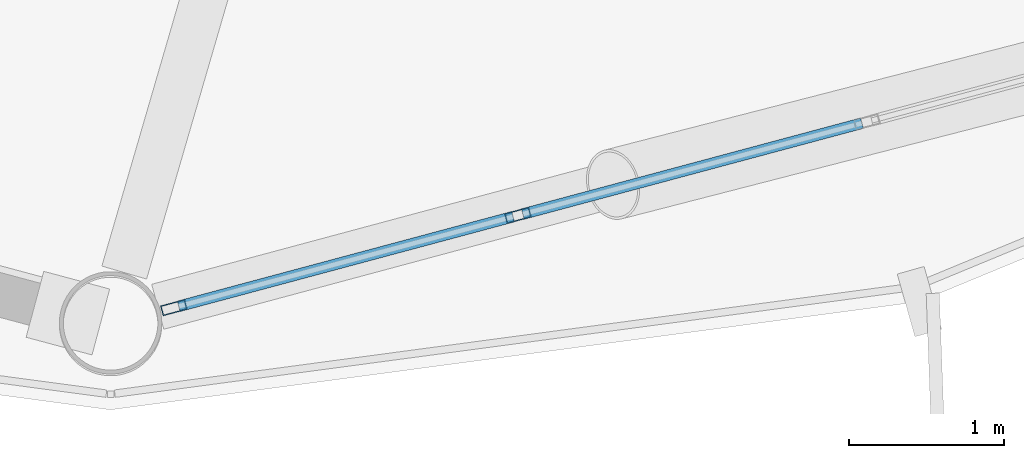
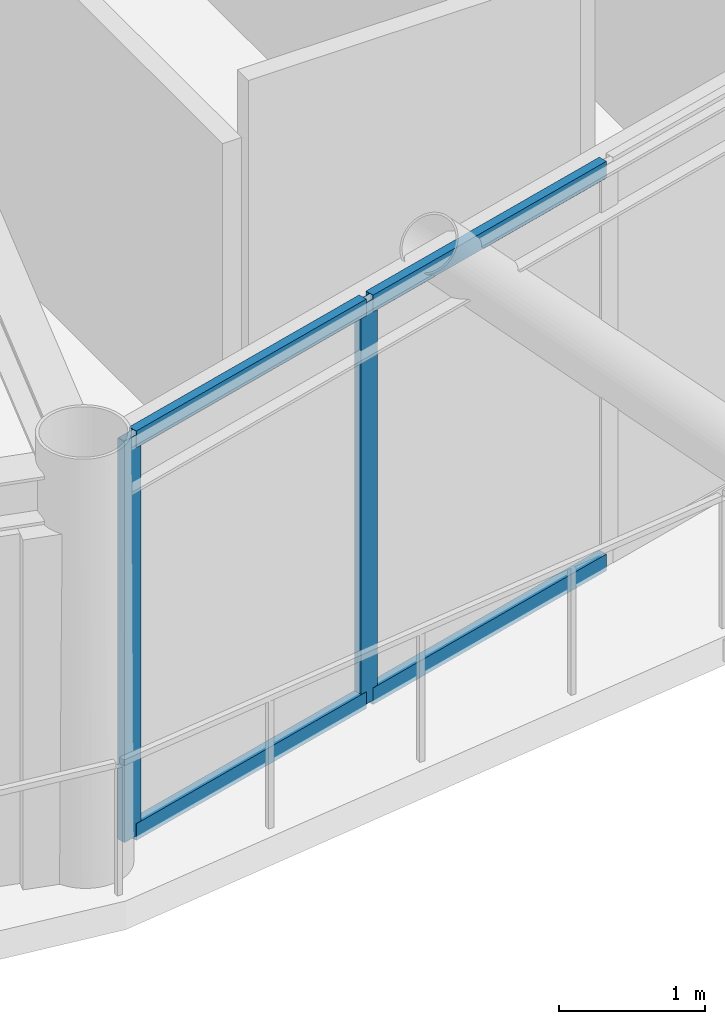
# One storey, part 7 of 28: 6 members, 1 element without a shape of its own.
"""IFC4 building model written with IfcOpenShell, lengths in metres."""

from ifc_helpers import new_model, si_unit, direction, frame, origin, origin_2d, place, context, subcontext, project, spatial, hollow_rectangle, extrude, material, layer, layer_set, material_profile, profile_set, type_object, element, aggregate, save


model = new_model("IFC4")

# Units and contexts
model_context = context("Model", 3, precision=1e-05, world=origin(), true_north=direction((0.0, 1.0)))
body_context = subcontext(model_context, "Body", "Model", "MODEL_VIEW")
ifc_project = project(units=[si_unit("LENGTHUNIT", "METRE"), si_unit("AREAUNIT", "SQUARE_METRE"), si_unit("VOLUMEUNIT", "CUBIC_METRE"), si_unit("PLANEANGLEUNIT", "RADIAN"), si_unit("MASSUNIT", "GRAM", prefix="KILO")], contexts=[model_context])

# Site, building, storey
site_placement = place(None, origin())
site = spatial("IfcSite", under=ifc_project, at=site_placement, CompositionType="ELEMENT")
building_placement = place(site_placement, origin())
building = spatial("IfcBuilding", under=site, at=building_placement, Name="Varnakorn Sky Granary", CompositionType="ELEMENT")
storey_placement = place(building_placement, frame((0.0, 0.0, 186.0)))
storey = spatial("IfcBuildingStorey", under=building, at=storey_placement, Name="L46", CompositionType="ELEMENT", Elevation=186.0)

# Curtain wall, members
ifc_material = material(Name="Anodised Bronze Aluminium Alloy 6063-T6", Category="aluminium")
ifc_layer = layer(ifc_material, 0.169921875, Name="Anodised Bronze Aluminium Alloy 6063-T6")
ifc_layer_set = layer_set([ifc_layer], Name="Anodised Bronze Aluminium Alloy 6063-T6")
curtain_wall_type = type_object("IfcCurtainWallType", Name="CW-LAB-1", PredefinedType="USERDEFINED", material=ifc_layer_set)
curtain_wall_placement = place(storey_placement, origin())
curtain_wall = element("IfcCurtainWall", 1, at=curtain_wall_placement, inside=storey, type_object=curtain_wall_type, Name="Unitised Curtain Wall CW5 CW-L46-B10", ObjectType="CURTAIN WALL", PredefinedType="USERDEFINED")
ifc_material_profile_1 = material_profile(ifc_material, hollow_rectangle(XDim=0.06494140625, YDim=0.159912109375, WallThickness=0.00341796875, at=origin_2d()), Name="ALU MULL 65x160")
ifc_profile_set_1 = profile_set([ifc_material_profile_1], Name="Anodised Bronze Aluminium Alloy 6063-T6")
member_type_1 = type_object("IfcMemberType", Name="CW-LAB-1-MULL", PredefinedType="MULLION", material=ifc_profile_set_1)
member_1_placement = place(storey_placement, frame((7.477294921875, -17.943603515625, 0.0), z_axis=(0.0, 0.0, 1.0), x_axis=(0.258925213654, -0.965897372258, 0.0)))
member_1 = element("IfcMember", 2, at=member_1_placement, type_object=member_type_1, Name="CW5 mullion 4", PredefinedType="MULLION", context=body_context, shape_type="SweptSolid", body=[
    extrude(hollow_rectangle(XDim=0.06494140625, YDim=0.159912109375, WallThickness=0.00341796875, at=origin_2d()), origin(), (0.0, 0.0, 1.0), 3.360107421875),
])
member_2_placement = place(storey_placement, frame((5.258056640625, -18.53857421875, 0.0), z_axis=(0.0, 0.0, 1.0), x_axis=(0.258925213654, -0.965897372258, 0.0)))
member_2 = element("IfcMember", 3, at=member_2_placement, type_object=member_type_1, Name="CW5 mullion 5", PredefinedType="MULLION", context=body_context, shape_type="SweptSolid", body=[
    extrude(hollow_rectangle(XDim=0.06494140625, YDim=0.159912109375, WallThickness=0.00341796875, at=origin_2d()), origin(), (0.0, 0.0, 1.0), 3.360107421875),
])
ifc_material_profile_2 = material_profile(ifc_material, hollow_rectangle(XDim=0.070068359375, YDim=0.139892578125, WallThickness=0.00341796875, at=origin_2d()), Name="ALU TRAN 70x140")
ifc_profile_set_2 = profile_set([ifc_material_profile_2], Name="Anodised Bronze Aluminium Alloy 6063-T6")
member_type_2 = type_object("IfcMemberType", Name="CW-LAB-1-TRAN", PredefinedType="USERDEFINED", material=ifc_profile_set_2)
member_3_placement = place(storey_placement, frame((9.696533203125, -17.348876953125, 0.034912109375), z_axis=(-0.965901372995, -0.2589102888, 0.0), x_axis=(0.2589102888, -0.965901372995, 0.0)))
member_3 = element("IfcMember", 4, at=member_3_placement, type_object=member_type_2, Name="CW5 transom 3.1", ObjectType="TRANSOM", PredefinedType="USERDEFINED", context=body_context, shape_type="SweptSolid", body=[
    extrude(hollow_rectangle(XDim=0.070068359375, YDim=0.139892578125, WallThickness=0.00341796875, at=origin_2d()), origin(), (0.0, 0.0, 1.0), 2.264892578125),
])
member_4_placement = place(storey_placement, frame((9.696533203125, -17.348876953125, 3.324951171875), z_axis=(-0.965901372995, -0.2589102888, 0.0), x_axis=(0.2589102888, -0.965901372995, 0.0)))
member_4 = element("IfcMember", 5, at=member_4_placement, type_object=member_type_2, Name="CW5 transom 3.2", ObjectType="TRANSOM", PredefinedType="USERDEFINED", context=body_context, shape_type="SweptSolid", body=[
    extrude(hollow_rectangle(XDim=0.070068359375, YDim=0.139892578125, WallThickness=0.00341796875, at=origin_2d()), origin(), (0.0, 0.0, 1.0), 2.264892578125),
])
member_5_placement = place(storey_placement, frame((7.446044921875, -17.9521484375, 0.034912109375), z_axis=(-0.965892882558, -0.258941961496, 0.0), x_axis=(0.258941961496, -0.965892882558, 0.0)))
member_5 = element("IfcMember", 6, at=member_5_placement, type_object=member_type_2, Name="CW5 transom 4.1", ObjectType="TRANSOM", PredefinedType="USERDEFINED", context=body_context, shape_type="SweptSolid", body=[
    extrude(hollow_rectangle(XDim=0.070068359375, YDim=0.139892578125, WallThickness=0.00341796875, at=origin_2d()), origin(), (0.0, 0.0, 1.0), 2.232666015625),
])
member_6_placement = place(storey_placement, frame((7.446044921875, -17.9521484375, 3.324951171875), z_axis=(-0.965892882558, -0.258941961496, 0.0), x_axis=(0.258941961496, -0.965892882558, 0.0)))
member_6 = element("IfcMember", 7, at=member_6_placement, type_object=member_type_2, Name="CW5 transom 4.2", ObjectType="TRANSOM", PredefinedType="USERDEFINED", context=body_context, shape_type="SweptSolid", body=[
    extrude(hollow_rectangle(XDim=0.070068359375, YDim=0.139892578125, WallThickness=0.00341796875, at=origin_2d()), origin(), (0.0, 0.0, 1.0), 2.232666015625),
])
aggregate(curtain_wall, [member_1, member_2, member_3, member_4, member_5, member_6])

save(model, "model.ifc")
